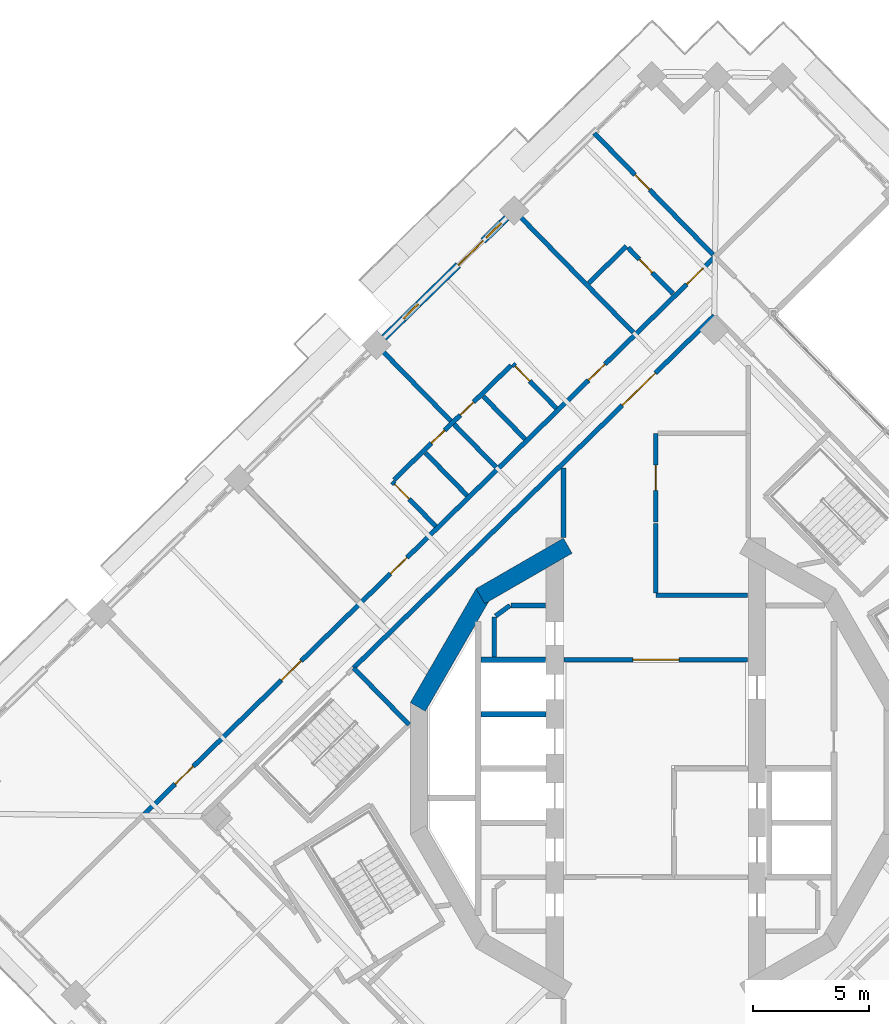
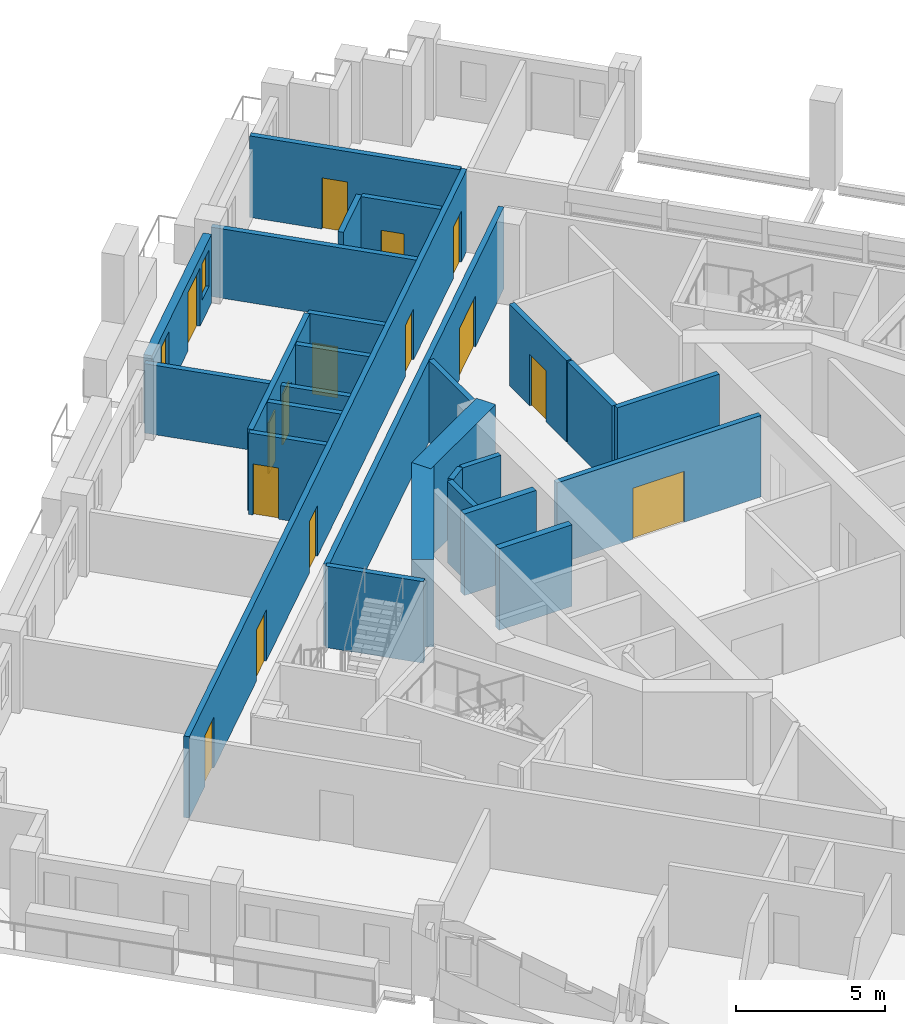
# One storey, part 11 of 20: 26 walls, 15 doors, 2 windows, 17 openings.
"""IFC4 building model written with IfcOpenShell, lengths in metres."""

from ifc_helpers import new_model, si_unit, direction, frame, frame_2d, origin, place, context, subcontext, project, spatial, rectangle, extrude, material, layer, layer_set, type_object, element, fill, save


model = new_model("IFC4")

# Units and contexts
model_context = context("Model", 3, precision=1e-05, world=origin(), true_north=direction((0.0, 1.0)))
body_context = subcontext(model_context, "Body", "Model", "MODEL_VIEW")
ifc_project = project(units=[si_unit("LENGTHUNIT", "METRE"), si_unit("AREAUNIT", "SQUARE_METRE"), si_unit("VOLUMEUNIT", "CUBIC_METRE"), si_unit("PLANEANGLEUNIT", "RADIAN"), si_unit("MASSUNIT", "GRAM", prefix="KILO")], contexts=[model_context])

# Site, building, storey
site_placement = place(None, origin())
site = spatial("IfcSite", under=ifc_project, at=site_placement, CompositionType="ELEMENT")
building_placement = place(site_placement, origin())
building = spatial("IfcBuilding", under=site, at=building_placement, Name="Cantera Rosa Tower", CompositionType="ELEMENT")
storey_placement = place(building_placement, frame((0.0, 0.0, 212.60009765625)))
storey = spatial("IfcBuildingStorey", under=building, at=storey_placement, Name="L45", CompositionType="ELEMENT", Elevation=212.60009765625)

# Wall
ifc_material_1 = material(Name="Gypsum board partition")
ifc_layer_1 = layer(ifc_material_1, 0.199951171875)
ifc_layer_set_1 = layer_set([ifc_layer_1], Name="CORRIDOR WALL 200 H3350")
wall_type_1 = type_object("IfcWallType", Name="CORRIDOR WALL 200 H3350", PredefinedType="PARTITIONING", material=ifc_layer_set_1)
wall_1_placement = place(storey_placement, frame((-4.0, 9.994140625, 0.0), z_axis=(0.0, 0.0, 1.0), x_axis=(0.0, 1.0, 0.0)))
element("IfcWall", 1, at=wall_1_placement, inside=storey, type_object=wall_type_1, Name="CORRIDOR WALL L45-058", PredefinedType="PARTITIONING", context=body_context, shape_type="SweptSolid", body=[
    extrude(rectangle(XDim=3.00390625, YDim=0.199951171875, at=frame_2d((1.501953125, 0.0))), origin(), (0.0, 0.0, 1.0), 3.349853515625),
])

# Wall, opening, door
wall_2_placement = place(storey_placement, frame((-3.969970703125, 4.699951171875, 0.0), z_axis=(0.0, 0.0, 1.0), x_axis=(1.0, 0.0, 0.0)))
wall_2 = element("IfcWall", 2, at=wall_2_placement, inside=storey, type_object=wall_type_1, Name="CORRIDOR WALL L45-059", PredefinedType="PARTITIONING", context=body_context, shape_type="SweptSolid", body=[
    extrude(rectangle(XDim=7.93994140625, YDim=0.199951171875, at=frame_2d((3.969970703125, 0.0))), origin(), (0.0, 0.0, 1.0), 3.349853515625),
])
opening_1_placement = place(wall_2_placement, frame((2.969970703125, 0.0, 0.0)))
opening_1 = element("IfcOpeningElement", 3, at=opening_1_placement, cuts=wall_2, Name="Opening L45-013", PredefinedType="OPENING", context=body_context, shape_type="SweptSolid", body=[
    extrude(rectangle(XDim=2.0, YDim=2.10009765625, at=frame_2d((1.0, 1.050048828125))), frame((0.0, 0.10986328125, 0.0), z_axis=(0.0, -1.0, 0.0), x_axis=(1.0, 0.0, 0.0)), (0.0, 0.0, 1.0), 0.219970703125),
])
ifc_material_2 = material(Name="Steel S355J2 (EN 10025-2)", Category="steel")
door_type_1 = type_object("IfcDoorType", Name="LOBBY SCREEN DOOR 2000x2100", OperationType="NOTDEFINED", PredefinedType="DOOR", material=ifc_material_2)
door_1_placement = place(opening_1_placement, origin())
door_1 = element("IfcDoor", 4, at=door_1_placement, inside=storey, type_object=door_type_1, Name="DOOR L45-013", OperationType="NOTDEFINED", OverallHeight=2.10009765625, OverallWidth=2.0, PredefinedType="DOOR", context=body_context, shape_type="SweptSolid", body=[
    extrude(rectangle(XDim=2.0, YDim=2.10009765625, at=frame_2d((1.0, 1.050048828125))), frame((0.0, 0.02490234375, 0.0), z_axis=(0.0, -1.0, 0.0), x_axis=(1.0, 0.0, 0.0)), (0.0, 0.0, 1.0), 0.050048828125),
])
fill(opening_1, door_1)

# Walls
wall_3_placement = place(storey_placement, frame((0.0, 7.5, 0.0), z_axis=(0.0, 0.0, 1.0), x_axis=(1.0, 0.0, 0.0)))
element("IfcWall", 5, at=wall_3_placement, inside=storey, type_object=wall_type_1, Name="CORRIDOR WALL L45-065", PredefinedType="PARTITIONING", context=body_context, shape_type="SweptSolid", body=[
    extrude(rectangle(XDim=3.969970703125, YDim=0.199951171875, at=frame_2d((1.98486328125, 0.0))), origin(), (0.0, 0.0, 1.0), 3.349853515625),
])
wall_4_placement = place(storey_placement, frame((0.0, 10.59521484375, 0.0), z_axis=(0.0, 0.0, 1.0), x_axis=(0.0, -1.0, 0.0)))
element("IfcWall", 6, at=wall_4_placement, inside=storey, type_object=wall_type_1, Name="CORRIDOR WALL L45-066", PredefinedType="PARTITIONING", context=body_context, shape_type="SweptSolid", body=[
    extrude(rectangle(XDim=3.01513671875, YDim=0.199951171875, at=frame_2d((1.507568359375, 0.0))), origin(), (0.0, 0.0, 1.0), 3.349853515625),
])

# Wall, opening, door
wall_5_placement = place(storey_placement, frame((0.0, 14.5, 0.0), z_axis=(0.0, 0.0, 1.0), x_axis=(0.0, -1.0, 0.0)))
wall_5 = element("IfcWall", 7, at=wall_5_placement, inside=storey, type_object=wall_type_1, Name="CORRIDOR WALL L45-067", PredefinedType="PARTITIONING", context=body_context, shape_type="SweptSolid", body=[
    extrude(rectangle(XDim=3.8447265625, YDim=0.199951171875, at=frame_2d((1.92236328125, 0.0))), origin(), (0.0, 0.0, 1.0), 3.349853515625),
])
opening_2_placement = place(wall_5_placement, frame((1.372314453125, 0.0, 0.0)))
opening_2 = element("IfcOpeningElement", 8, at=opening_2_placement, cuts=wall_5, Name="Opening L45-017", PredefinedType="OPENING", context=body_context, shape_type="SweptSolid", body=[
    extrude(rectangle(XDim=1.10009765625, YDim=2.10009765625, at=frame_2d((0.550048828125, 1.050048828125))), frame((0.0, 0.10986328125, 0.0), z_axis=(0.0, -1.0, 0.0), x_axis=(1.0, 0.0, 0.0)), (0.0, 0.0, 1.0), 0.219970703125),
])
ifc_material_3 = material(Name="Timber door leaf", Category="wood")
door_type_2 = type_object("IfcDoorType", Name="ROOM DOOR 1100x2100", OperationType="NOTDEFINED", PredefinedType="DOOR", material=ifc_material_3)
door_2_placement = place(opening_2_placement, origin())
door_2 = element("IfcDoor", 9, at=door_2_placement, inside=storey, type_object=door_type_2, Name="DOOR L45-017", OperationType="NOTDEFINED", OverallHeight=2.10009765625, OverallWidth=1.10009765625, PredefinedType="DOOR", context=body_context, shape_type="SweptSolid", body=[
    extrude(rectangle(XDim=1.10009765625, YDim=2.10009765625, at=frame_2d((0.550048828125, 1.050048828125))), frame((0.0, 0.02490234375, 0.0), z_axis=(0.0, -1.0, 0.0), x_axis=(1.0, 0.0, 0.0)), (0.0, 0.0, 1.0), 0.050048828125),
])
fill(opening_2, door_2)

wall_6_placement = place(storey_placement, frame((2.5263671875, 19.593994140625, 0.0), z_axis=(0.0, 0.0, 1.0), x_axis=(-0.715295644999, -0.698821966059, 0.0)))
wall_6 = element("IfcWall", 10, at=wall_6_placement, inside=storey, type_object=wall_type_1, Name="CORRIDOR WALL L45-072", PredefinedType="PARTITIONING", context=body_context, shape_type="SweptSolid", body=[
    extrude(rectangle(XDim=21.815185546875, YDim=0.199951171875, at=frame_2d((10.90771484375, 0.0))), origin(), (0.0, 0.0, 1.0), 3.349853515625),
])
opening_3_placement = place(wall_6_placement, frame((3.56201171875, 0.0, 0.0)))
opening_3 = element("IfcOpeningElement", 11, at=opening_3_placement, cuts=wall_6, Name="Opening L45-012", PredefinedType="OPENING", context=body_context, shape_type="SweptSolid", body=[
    extrude(rectangle(XDim=2.0, YDim=2.10009765625, at=frame_2d((1.0, 1.050048828125))), frame((0.0, 0.10986328125, 0.0), z_axis=(0.0, -1.0, 0.0), x_axis=(1.0, 0.0, 0.0)), (0.0, 0.0, 1.0), 0.219970703125),
])
door_3_placement = place(opening_3_placement, origin())
door_3 = element("IfcDoor", 12, at=door_3_placement, inside=storey, type_object=door_type_1, Name="DOOR L45-012", OperationType="NOTDEFINED", OverallHeight=2.10009765625, OverallWidth=2.0, PredefinedType="DOOR", context=body_context, shape_type="SweptSolid", body=[
    extrude(rectangle(XDim=2.0, YDim=2.10009765625, at=frame_2d((1.0, 1.050048828125))), frame((0.0, 0.02490234375, 0.0), z_axis=(0.0, -1.0, 0.0), x_axis=(1.0, 0.0, 0.0)), (0.0, 0.0, 1.0), 0.050048828125),
])
fill(opening_3, door_3)

# Wall, openings, doors
wall_7_placement = place(storey_placement, frame((2.555908203125, 22.1396484375, 0.0), z_axis=(0.0, 0.0, 1.0), x_axis=(-0.715286274513, -0.698831557311, 0.0)))
wall_7 = element("IfcWall", 13, at=wall_7_placement, inside=storey, type_object=wall_type_1, Name="CORRIDOR WALL L45-073", PredefinedType="PARTITIONING", context=body_context, shape_type="SweptSolid", body=[
    extrude(rectangle(XDim=34.60009765625, YDim=0.199951171875, at=frame_2d((17.300048828125, 0.0))), origin(), (0.0, 0.0, 1.0), 3.349853515625),
])
opening_4_placement = place(wall_7_placement, frame((6.655029296875, 0.0, 0.0)))
opening_4 = element("IfcOpeningElement", 14, at=opening_4_placement, cuts=wall_7, Name="Opening L45-027", PredefinedType="OPENING", context=body_context, shape_type="SweptSolid", body=[
    extrude(rectangle(XDim=1.0, YDim=2.10009765625, at=frame_2d((0.5, 1.050048828125))), frame((0.0, 0.10986328125, 0.0), z_axis=(0.0, -1.0, 0.0), x_axis=(1.0, 0.0, 0.0)), (0.0, 0.0, 1.0), 0.219970703125),
])
opening_5_placement = place(wall_7_placement, frame((18.625, 0.0, 0.0)))
opening_5 = element("IfcOpeningElement", 15, at=opening_5_placement, cuts=wall_7, Name="Opening L45-030", PredefinedType="OPENING", context=body_context, shape_type="SweptSolid", body=[
    extrude(rectangle(XDim=1.0, YDim=2.10009765625, at=frame_2d((0.5, 1.050048828125))), frame((0.0, 0.10986328125, 0.0), z_axis=(0.0, -1.0, 0.0), x_axis=(1.0, 0.0, 0.0)), (0.0, 0.0, 1.0), 0.219970703125),
])
opening_6_placement = place(wall_7_placement, frame((25.02001953125, 0.0, 0.0)))
opening_6 = element("IfcOpeningElement", 16, at=opening_6_placement, cuts=wall_7, Name="Opening L45-033", PredefinedType="OPENING", context=body_context, shape_type="SweptSolid", body=[
    extrude(rectangle(XDim=1.199951171875, YDim=2.10009765625, at=frame_2d((0.60009765625, 1.050048828125))), frame((0.0, 0.10986328125, 0.0), z_axis=(0.0, -1.0, 0.0), x_axis=(1.0, 0.0, 0.0)), (0.0, 0.0, 1.0), 0.219970703125),
])
opening_7_placement = place(wall_7_placement, frame((0.7099609375, 0.0, 0.0)))
opening_7 = element("IfcOpeningElement", 17, at=opening_7_placement, cuts=wall_7, Name="Opening L45-034", PredefinedType="OPENING", context=body_context, shape_type="SweptSolid", body=[
    extrude(rectangle(XDim=1.0, YDim=2.10009765625, at=frame_2d((0.5, 1.050048828125))), frame((0.0, 0.10986328125, 0.0), z_axis=(0.0, -1.0, 0.0), x_axis=(1.0, 0.0, 0.0)), (0.0, 0.0, 1.0), 0.219970703125),
])
opening_8_placement = place(wall_7_placement, frame((31.550048828125, 0.0, 0.0)))
opening_8 = element("IfcOpeningElement", 18, at=opening_8_placement, cuts=wall_7, Name="Opening L45-037", PredefinedType="OPENING", context=body_context, shape_type="SweptSolid", body=[
    extrude(rectangle(XDim=1.10009765625, YDim=2.10009765625, at=frame_2d((0.550048828125, 1.050048828125))), frame((0.0, 0.10986328125, 0.0), z_axis=(0.0, -1.0, 0.0), x_axis=(1.0, 0.0, 0.0)), (0.0, 0.0, 1.0), 0.219970703125),
])
ifc_material_4 = material(Name="Timber door leaf", Category="wood")
door_type_3 = type_object("IfcDoorType", Name="ENTRANCE DOOR 1000x2100", OperationType="NOTDEFINED", PredefinedType="DOOR", material=ifc_material_4)
door_4_placement = place(opening_4_placement, origin())
door_4 = element("IfcDoor", 19, at=door_4_placement, inside=storey, type_object=door_type_3, Name="DOOR L45-027", OperationType="NOTDEFINED", OverallHeight=2.10009765625, OverallWidth=1.0, PredefinedType="DOOR", context=body_context, shape_type="SweptSolid", body=[
    extrude(rectangle(XDim=1.0, YDim=2.10009765625, at=frame_2d((0.5, 1.050048828125))), frame((0.0, 0.02490234375, 0.0), z_axis=(0.0, -1.0, 0.0), x_axis=(1.0, 0.0, 0.0)), (0.0, 0.0, 1.0), 0.050048828125),
])
fill(opening_4, door_4)
door_5_placement = place(opening_5_placement, origin())
door_5 = element("IfcDoor", 20, at=door_5_placement, inside=storey, type_object=door_type_3, Name="DOOR L45-030", OperationType="NOTDEFINED", OverallHeight=2.10009765625, OverallWidth=1.0, PredefinedType="DOOR", context=body_context, shape_type="SweptSolid", body=[
    extrude(rectangle(XDim=1.0, YDim=2.10009765625, at=frame_2d((0.5, 1.050048828125))), frame((0.0, 0.02490234375, 0.0), z_axis=(0.0, -1.0, 0.0), x_axis=(1.0, 0.0, 0.0)), (0.0, 0.0, 1.0), 0.050048828125),
])
fill(opening_5, door_5)
door_6_placement = place(opening_7_placement, origin())
door_6 = element("IfcDoor", 21, at=door_6_placement, inside=storey, type_object=door_type_3, Name="DOOR L45-034", OperationType="NOTDEFINED", OverallHeight=2.10009765625, OverallWidth=1.0, PredefinedType="DOOR", context=body_context, shape_type="SweptSolid", body=[
    extrude(rectangle(XDim=1.0, YDim=2.10009765625, at=frame_2d((0.5, 1.050048828125))), frame((0.0, 0.02490234375, 0.0), z_axis=(0.0, -1.0, 0.0), x_axis=(1.0, 0.0, 0.0)), (0.0, 0.0, 1.0), 0.050048828125),
])
fill(opening_7, door_6)
door_7_placement = place(opening_8_placement, origin())
door_7 = element("IfcDoor", 22, at=door_7_placement, inside=storey, type_object=door_type_2, Name="DOOR L45-037", OperationType="NOTDEFINED", OverallHeight=2.10009765625, OverallWidth=1.10009765625, PredefinedType="DOOR", context=body_context, shape_type="SweptSolid", body=[
    extrude(rectangle(XDim=1.10009765625, YDim=2.10009765625, at=frame_2d((0.550048828125, 1.050048828125))), frame((0.0, 0.02490234375, 0.0), z_axis=(0.0, -1.0, 0.0), x_axis=(1.0, 0.0, 0.0)), (0.0, 0.0, 1.0), 0.050048828125),
])
fill(opening_8, door_7)
ifc_material_5 = material(Name="Timber door leaf", Category="wood")
door_type_4 = type_object("IfcDoorType", Name="ROOM DOOR 1200x2100", OperationType="NOTDEFINED", PredefinedType="DOOR", material=ifc_material_5)
door_8_placement = place(opening_6_placement, origin())
door_8 = element("IfcDoor", 23, at=door_8_placement, inside=storey, type_object=door_type_4, Name="DOOR L45-033", OperationType="NOTDEFINED", OverallHeight=2.10009765625, OverallWidth=1.199951171875, PredefinedType="DOOR", context=body_context, shape_type="SweptSolid", body=[
    extrude(rectangle(XDim=1.199951171875, YDim=2.10009765625, at=frame_2d((0.60009765625, 1.050048828125))), frame((0.0, 0.02490234375, 0.0), z_axis=(0.0, -1.0, 0.0), x_axis=(1.0, 0.0, 0.0)), (0.0, 0.0, 1.0), 0.050048828125),
])
fill(opening_6, door_8)

# Wall, openings, windows, door
ifc_material_6 = material(Name="Hollow clay masonry with cantera stone cladding", Category="masonry")
ifc_layer_2 = layer(ifc_material_6, 0.300048828125)
ifc_layer_set_2 = layer_set([ifc_layer_2], Name="EW-LOGGIA 300 H2820")
wall_type_2 = type_object("IfcWallType", Name="EW-LOGGIA 300 H2820", PredefinedType="SOLIDWALL", material=ifc_layer_set_2)
wall_8_placement = place(storey_placement, frame((-6.454833984375, 23.8212890625, 0.0), z_axis=(0.0, 0.0, 1.0), x_axis=(-0.715300826176, -0.698816662703, 0.0)))
wall_8 = element("IfcWall", 24, at=wall_8_placement, inside=storey, type_object=wall_type_2, Name="EN-L45-W08", PredefinedType="SOLIDWALL", context=body_context, shape_type="SweptSolid", body=[
    extrude(rectangle(XDim=7.420166015625, YDim=0.300048828125, at=frame_2d((3.7099609375, 0.0))), origin(), (0.0, 0.0, 1.0), 2.81982421875),
])
opening_9_placement = place(wall_8_placement, frame((0.330078125, 0.0, 0.89990234375)))
opening_9 = element("IfcOpeningElement", 25, at=opening_9_placement, cuts=wall_8, Name="Opening L45-W10", PredefinedType="OPENING", context=body_context, shape_type="SweptSolid", body=[
    extrude(rectangle(XDim=0.89990234375, YDim=1.5, at=frame_2d((0.449951171875, 0.75))), frame((0.0, 0.159912109375, 0.0), z_axis=(0.0, -1.0, 0.0), x_axis=(1.0, 0.0, 0.0)), (0.0, 0.0, 1.0), 0.320068359375),
])
opening_10_placement = place(wall_8_placement, frame((1.429931640625, 0.0, 0.0)))
opening_10 = element("IfcOpeningElement", 26, at=opening_10_placement, cuts=wall_8, Name="Opening L45-TD11", PredefinedType="OPENING", context=body_context, shape_type="SweptSolid", body=[
    extrude(rectangle(XDim=1.5, YDim=2.39990234375, at=frame_2d((0.75, 1.199951171875))), frame((0.0, 0.159912109375, 0.0), z_axis=(0.0, -1.0, 0.0), x_axis=(1.0, 0.0, 0.0)), (0.0, 0.0, 1.0), 0.320068359375),
])
opening_11_placement = place(wall_8_placement, frame((5.340087890625, 0.0, 0.89990234375)))
opening_11 = element("IfcOpeningElement", 27, at=opening_11_placement, cuts=wall_8, Name="Opening L45-W12", PredefinedType="OPENING", context=body_context, shape_type="SweptSolid", body=[
    extrude(rectangle(XDim=0.89990234375, YDim=1.5, at=frame_2d((0.449951171875, 0.75))), frame((0.0, 0.159912109375, 0.0), z_axis=(0.0, -1.0, 0.0), x_axis=(1.0, 0.0, 0.0)), (0.0, 0.0, 1.0), 0.320068359375),
])
ifc_material_7 = material(Name="Aluminium frame with clear glass", Category="aluminium")
window_type = type_object("IfcWindowType", Name="Residential window 900x1500", PartitioningType="SINGLE_PANEL", PredefinedType="WINDOW", material=ifc_material_7)
window_1_placement = place(opening_9_placement, origin())
window_1 = element("IfcWindow", 28, at=window_1_placement, inside=storey, type_object=window_type, Name="WINDOW L45-W10", OverallHeight=1.5, OverallWidth=0.89990234375, PartitioningType="SINGLE_PANEL", PredefinedType="WINDOW", context=body_context, shape_type="SweptSolid", body=[
    extrude(rectangle(XDim=0.89990234375, YDim=1.5, at=frame_2d((0.449951171875, 0.75))), frame((0.0, 0.030029296875, 0.0), z_axis=(0.0, -1.0, 0.0), x_axis=(1.0, 0.0, 0.0)), (0.0, 0.0, 1.0), 0.06005859375),
])
fill(opening_9, window_1)
window_2_placement = place(opening_11_placement, origin())
window_2 = element("IfcWindow", 29, at=window_2_placement, inside=storey, type_object=window_type, Name="WINDOW L45-W12", OverallHeight=1.5, OverallWidth=0.89990234375, PartitioningType="SINGLE_PANEL", PredefinedType="WINDOW", context=body_context, shape_type="SweptSolid", body=[
    extrude(rectangle(XDim=0.89990234375, YDim=1.5, at=frame_2d((0.449951171875, 0.75))), frame((0.0, 0.030029296875, 0.0), z_axis=(0.0, -1.0, 0.0), x_axis=(1.0, 0.0, 0.0)), (0.0, 0.0, 1.0), 0.06005859375),
])
fill(opening_11, window_2)
ifc_material_8 = material(Name="Aluminium frame with clear glass", Category="aluminium")
door_type_5 = type_object("IfcDoorType", Name="TD-R 1500x2400", OperationType="NOTDEFINED", PredefinedType="DOOR", material=ifc_material_8)
door_9_placement = place(opening_10_placement, origin())
door_9 = element("IfcDoor", 30, at=door_9_placement, inside=storey, type_object=door_type_5, Name="LOGGIA DOOR L45-TD11", OperationType="SLIDING_TO_LEFT", OverallHeight=2.39990234375, OverallWidth=1.5, PredefinedType="DOOR", context=body_context, shape_type="SweptSolid", body=[
    extrude(rectangle(XDim=1.5, YDim=2.39990234375, at=frame_2d((0.75, 1.199951171875))), frame((0.0, 0.02490234375, 0.0), z_axis=(0.0, -1.0, 0.0), x_axis=(1.0, 0.0, 0.0)), (0.0, 0.0, 1.0), 0.050048828125),
])
fill(opening_10, door_9)

# Wall, openings, doors
ifc_material_9 = material(Name="Gypsum board partition")
ifc_layer_3 = layer(ifc_material_9, 0.199951171875)
ifc_layer_set_3 = layer_set([ifc_layer_3], Name="PARTITION 200 H3350")
wall_type_3 = type_object("IfcWallType", Name="PARTITION 200 H3350", PredefinedType="PARTITIONING", material=ifc_layer_set_3)
wall_9_placement = place(storey_placement, frame((-11.32470703125, 12.492919921875, 0.0), z_axis=(0.0, 0.0, 1.0), x_axis=(0.71528317441, 0.698834730395, 0.0)))
wall_9 = element("IfcWall", 31, at=wall_9_placement, inside=storey, type_object=wall_type_3, Name="PARTITION L45-026", PredefinedType="PARTITIONING", context=body_context, shape_type="SweptSolid", body=[
    extrude(rectangle(XDim=7.080078125, YDim=0.199951171875, at=frame_2d((3.5400390625, 0.0))), origin(), (0.0, 0.0, 1.0), 3.349853515625),
])
opening_12_placement = place(wall_9_placement, frame((4.0048828125, 0.0, 0.0)))
opening_12 = element("IfcOpeningElement", 32, at=opening_12_placement, cuts=wall_9, Name="Opening L45-028", PredefinedType="OPENING", context=body_context, shape_type="SweptSolid", body=[
    extrude(rectangle(XDim=0.800048828125, YDim=2.10009765625, at=frame_2d((0.39990234375, 1.050048828125))), frame((0.0, 0.10986328125, 0.0), z_axis=(0.0, -1.0, 0.0), x_axis=(1.0, 0.0, 0.0)), (0.0, 0.0, 1.0), 0.219970703125),
])
opening_13_placement = place(wall_9_placement, frame((2.2548828125, 0.0, 0.0)))
opening_13 = element("IfcOpeningElement", 33, at=opening_13_placement, cuts=wall_9, Name="Opening L45-031", PredefinedType="OPENING", context=body_context, shape_type="SweptSolid", body=[
    extrude(rectangle(XDim=0.800048828125, YDim=2.10009765625, at=frame_2d((0.39990234375, 1.050048828125))), frame((0.0, 0.10986328125, 0.0), z_axis=(0.0, -1.0, 0.0), x_axis=(1.0, 0.0, 0.0)), (0.0, 0.0, 1.0), 0.219970703125),
])
ifc_material_10 = material(Name="Timber door leaf", Category="wood")
door_type_6 = type_object("IfcDoorType", Name="BATHROOM DOOR 800x2100", OperationType="NOTDEFINED", PredefinedType="DOOR", material=ifc_material_10)
door_10_placement = place(opening_12_placement, origin())
door_10 = element("IfcDoor", 34, at=door_10_placement, inside=storey, type_object=door_type_6, Name="DOOR L45-028", OperationType="NOTDEFINED", OverallHeight=2.10009765625, OverallWidth=0.800048828125, PredefinedType="DOOR", context=body_context, shape_type="SweptSolid", body=[
    extrude(rectangle(XDim=0.800048828125, YDim=2.10009765625, at=frame_2d((0.39990234375, 1.050048828125))), frame((0.0, 0.02490234375, 0.0), z_axis=(0.0, -1.0, 0.0), x_axis=(1.0, 0.0, 0.0)), (0.0, 0.0, 1.0), 0.050048828125),
])
fill(opening_12, door_10)
door_11_placement = place(opening_13_placement, origin())
door_11 = element("IfcDoor", 35, at=door_11_placement, inside=storey, type_object=door_type_6, Name="DOOR L45-031", OperationType="NOTDEFINED", OverallHeight=2.10009765625, OverallWidth=0.800048828125, PredefinedType="DOOR", context=body_context, shape_type="SweptSolid", body=[
    extrude(rectangle(XDim=0.800048828125, YDim=2.10009765625, at=frame_2d((0.39990234375, 1.050048828125))), frame((0.0, 0.02490234375, 0.0), z_axis=(0.0, -1.0, 0.0), x_axis=(1.0, 0.0, 0.0)), (0.0, 0.0, 1.0), 0.050048828125),
])
fill(opening_13, door_11)

# Wall, opening, door
wall_10_placement = place(storey_placement, frame((-9.523681640625, 10.477783203125, 0.0), z_axis=(0.0, 0.0, 1.0), x_axis=(-0.69882992157, 0.715287872621, 0.0)))
wall_10 = element("IfcWall", 36, at=wall_10_placement, inside=storey, type_object=wall_type_3, Name="PARTITION L45-029", PredefinedType="PARTITIONING", context=body_context, shape_type="SweptSolid", body=[
    extrude(rectangle(XDim=2.69970703125, YDim=0.199951171875, at=frame_2d((1.349853515625, 0.0))), origin(), (0.0, 0.0, 1.0), 3.349853515625),
])
opening_14_placement = place(wall_10_placement, frame((1.64990234375, 0.0, 0.0)))
opening_14 = element("IfcOpeningElement", 37, at=opening_14_placement, cuts=wall_10, Name="Opening L45-032", PredefinedType="OPENING", context=body_context, shape_type="SweptSolid", body=[
    extrude(rectangle(XDim=0.89990234375, YDim=2.10009765625, at=frame_2d((0.449951171875, 1.050048828125))), frame((0.0, 0.10986328125, 0.0), z_axis=(0.0, -1.0, 0.0), x_axis=(1.0, 0.0, 0.0)), (0.0, 0.0, 1.0), 0.219970703125),
])
ifc_material_11 = material(Name="Timber door leaf", Category="wood")
door_type_7 = type_object("IfcDoorType", Name="ROOM DOOR 900x2100", OperationType="NOTDEFINED", PredefinedType="DOOR", material=ifc_material_11)
door_12_placement = place(opening_14_placement, origin())
door_12 = element("IfcDoor", 38, at=door_12_placement, inside=storey, type_object=door_type_7, Name="DOOR L45-032", OperationType="NOTDEFINED", OverallHeight=2.10009765625, OverallWidth=0.89990234375, PredefinedType="DOOR", context=body_context, shape_type="SweptSolid", body=[
    extrude(rectangle(XDim=0.89990234375, YDim=2.10009765625, at=frame_2d((0.449951171875, 1.050048828125))), frame((0.0, 0.02490234375, 0.0), z_axis=(0.0, -1.0, 0.0), x_axis=(1.0, 0.0, 0.0)), (0.0, 0.0, 1.0), 0.050048828125),
])
fill(opening_14, door_12)

# Walls
wall_11_placement = place(storey_placement, frame((-8.16455078125, 11.805419921875, 0.0), z_axis=(0.0, 0.0, 1.0), x_axis=(-0.698826236875, 0.715291472517, 0.0)))
element("IfcWall", 39, at=wall_11_placement, inside=storey, type_object=wall_type_3, Name="PARTITION L45-034", PredefinedType="PARTITIONING", context=body_context, shape_type="SweptSolid", body=[
    extrude(rectangle(XDim=2.580078125, YDim=0.199951171875, at=frame_2d((1.2900390625, 0.0))), origin(), (0.0, 0.0, 1.0), 3.349853515625),
])
wall_12_placement = place(storey_placement, frame((-7.464111328125, 16.0966796875, 0.0), z_axis=(0.0, 0.0, 1.0), x_axis=(0.698873539617, -0.715245255575, 0.0)))
element("IfcWall", 40, at=wall_12_placement, inside=storey, type_object=wall_type_3, Name="PARTITION L45-041", PredefinedType="PARTITIONING", context=body_context, shape_type="SweptSolid", body=[
    extrude(rectangle(XDim=2.579833984375, YDim=0.199951171875, at=frame_2d((1.2900390625, 0.0))), origin(), (0.0, 0.0, 1.0), 3.349853515625),
])
wall_13_placement = place(storey_placement, frame((-7.0, 4.824951171875, 0.0), z_axis=(0.0, 0.0, 1.0), x_axis=(0.0, 1.0, 0.0)))
element("IfcWall", 41, at=wall_13_placement, inside=storey, type_object=wall_type_3, Name="PARTITION L45-045", PredefinedType="PARTITIONING", context=body_context, shape_type="SweptSolid", body=[
    extrude(rectangle(XDim=1.72509765625, YDim=0.199951171875, at=frame_2d((0.862548828125, 0.0))), origin(), (0.0, 0.0, 1.0), 3.349853515625),
])
wall_14_placement = place(storey_placement, frame((-6.935302734375, 6.59716796875, 0.0), z_axis=(0.0, 0.0, 1.0), x_axis=(0.808227862651, 0.588869868506, 0.0)))
element("IfcWall", 42, at=wall_14_placement, inside=storey, type_object=wall_type_3, Name="PARTITION L45-046", PredefinedType="PARTITIONING", context=body_context, shape_type="SweptSolid", body=[
    extrude(rectangle(XDim=0.76904296875, YDim=0.199951171875, at=frame_2d((0.384521484375, 0.0))), origin(), (0.0, 0.0, 1.0), 3.349853515625),
])
wall_15_placement = place(storey_placement, frame((-6.273681640625, 7.050048828125, 0.0), z_axis=(0.0, 0.0, 1.0), x_axis=(1.0, 0.0, 0.0)))
element("IfcWall", 43, at=wall_15_placement, inside=storey, type_object=wall_type_3, Name="PARTITION L45-048", PredefinedType="PARTITIONING", context=body_context, shape_type="SweptSolid", body=[
    extrude(rectangle(XDim=1.49365234375, YDim=0.199951171875, at=frame_2d((0.746826171875, 0.0))), origin(), (0.0, 0.0, 1.0), 3.349853515625),
])

# Wall, opening, door
wall_16_placement = place(storey_placement, frame((-6.18896484375, 17.510498046875, 0.0), z_axis=(0.0, 0.0, 1.0), x_axis=(0.69883098597, -0.71528683271, 0.0)))
wall_16 = element("IfcWall", 44, at=wall_16_placement, inside=storey, type_object=wall_type_3, Name="PARTITION L45-049", PredefinedType="PARTITIONING", context=body_context, shape_type="SweptSolid", body=[
    extrude(rectangle(XDim=2.7001953125, YDim=0.199951171875, at=frame_2d((1.35009765625, 0.0))), origin(), (0.0, 0.0, 1.0), 3.349853515625),
])
opening_15_placement = place(wall_16_placement, frame((0.14990234375, 0.0, 0.0)))
opening_15 = element("IfcOpeningElement", 45, at=opening_15_placement, cuts=wall_16, Name="Opening L45-029", PredefinedType="OPENING", context=body_context, shape_type="SweptSolid", body=[
    extrude(rectangle(XDim=0.89990234375, YDim=2.10009765625, at=frame_2d((0.449951171875, 1.050048828125))), frame((0.0, 0.10986328125, 0.0), z_axis=(0.0, -1.0, 0.0), x_axis=(1.0, 0.0, 0.0)), (0.0, 0.0, 1.0), 0.219970703125),
])
door_13_placement = place(opening_15_placement, origin())
door_13 = element("IfcDoor", 46, at=door_13_placement, inside=storey, type_object=door_type_7, Name="DOOR L45-029", OperationType="NOTDEFINED", OverallHeight=2.10009765625, OverallWidth=0.89990234375, PredefinedType="DOOR", context=body_context, shape_type="SweptSolid", body=[
    extrude(rectangle(XDim=0.89990234375, YDim=2.10009765625, at=frame_2d((0.449951171875, 1.050048828125))), frame((0.0, 0.02490234375, 0.0), z_axis=(0.0, -1.0, 0.0), x_axis=(1.0, 0.0, 0.0)), (0.0, 0.0, 1.0), 0.050048828125),
])
fill(opening_15, door_13)

# Wall
wall_17_placement = place(storey_placement, frame((-2.902587890625, 21.0009765625, 0.0), z_axis=(0.0, 0.0, 1.0), x_axis=(0.715356263827, 0.698759912848, 0.0)))
element("IfcWall", 47, at=wall_17_placement, inside=storey, type_object=wall_type_3, Name="PARTITION L45-060", PredefinedType="PARTITIONING", context=body_context, shape_type="SweptSolid", body=[
    extrude(rectangle(XDim=2.280029296875, YDim=0.199951171875, at=frame_2d((1.14013671875, 0.0))), origin(), (0.0, 0.0, 1.0), 3.349853515625),
])

# Wall, opening, door
wall_18_placement = place(storey_placement, frame((-1.20166015625, 22.522705078125, 0.0), z_axis=(0.0, 0.0, 1.0), x_axis=(0.698803279279, -0.715313900934, 0.0)))
wall_18 = element("IfcWall", 48, at=wall_18_placement, inside=storey, type_object=wall_type_3, Name="PARTITION L45-064", PredefinedType="PARTITIONING", context=body_context, shape_type="SweptSolid", body=[
    extrude(rectangle(XDim=2.780029296875, YDim=0.199951171875, at=frame_2d((1.39013671875, 0.0))), origin(), (0.0, 0.0, 1.0), 3.349853515625),
])
opening_16_placement = place(wall_18_placement, frame((0.699951171875, 0.0, 0.0)))
opening_16 = element("IfcOpeningElement", 49, at=opening_16_placement, cuts=wall_18, Name="Opening L45-035", PredefinedType="OPENING", context=body_context, shape_type="SweptSolid", body=[
    extrude(rectangle(XDim=0.800048828125, YDim=2.10009765625, at=frame_2d((0.39990234375, 1.050048828125))), frame((0.0, 0.10986328125, 0.0), z_axis=(0.0, -1.0, 0.0), x_axis=(1.0, 0.0, 0.0)), (0.0, 0.0, 1.0), 0.219970703125),
])
door_14_placement = place(opening_16_placement, origin())
door_14 = element("IfcDoor", 50, at=door_14_placement, inside=storey, type_object=door_type_6, Name="DOOR L45-035", OperationType="NOTDEFINED", OverallHeight=2.10009765625, OverallWidth=0.800048828125, PredefinedType="DOOR", context=body_context, shape_type="SweptSolid", body=[
    extrude(rectangle(XDim=0.800048828125, YDim=2.10009765625, at=frame_2d((0.39990234375, 1.050048828125))), frame((0.0, 0.02490234375, 0.0), z_axis=(0.0, -1.0, 0.0), x_axis=(1.0, 0.0, 0.0)), (0.0, 0.0, 1.0), 0.050048828125),
])
fill(opening_16, door_14)

wall_19_placement = place(storey_placement, frame((2.471923828125, 22.225341796875, 0.0), z_axis=(0.0, 0.0, 1.0), x_axis=(-0.698820957739, 0.715296630095, 0.0)))
wall_19 = element("IfcWall", 51, at=wall_19_placement, inside=storey, type_object=wall_type_3, Name="PARTITION L45-074", PredefinedType="PARTITIONING", context=body_context, shape_type="SweptSolid", body=[
    extrude(rectangle(XDim=7.349853515625, YDim=0.199951171875, at=frame_2d((3.6748046875, 0.0))), origin(), (0.0, 0.0, 1.0), 3.349853515625),
])
opening_17_placement = place(wall_19_placement, frame((3.929931640625, 0.0, 0.0)))
opening_17 = element("IfcOpeningElement", 52, at=opening_17_placement, cuts=wall_19, Name="Opening L45-036", PredefinedType="OPENING", context=body_context, shape_type="SweptSolid", body=[
    extrude(rectangle(XDim=0.89990234375, YDim=2.10009765625, at=frame_2d((0.449951171875, 1.050048828125))), frame((0.0, 0.10986328125, 0.0), z_axis=(0.0, -1.0, 0.0), x_axis=(1.0, 0.0, 0.0)), (0.0, 0.0, 1.0), 0.219970703125),
])
door_15_placement = place(opening_17_placement, origin())
door_15 = element("IfcDoor", 53, at=door_15_placement, inside=storey, type_object=door_type_7, Name="DOOR L45-036", OperationType="NOTDEFINED", OverallHeight=2.10009765625, OverallWidth=0.89990234375, PredefinedType="DOOR", context=body_context, shape_type="SweptSolid", body=[
    extrude(rectangle(XDim=0.89990234375, YDim=2.10009765625, at=frame_2d((0.449951171875, 1.050048828125))), frame((0.0, 0.02490234375, 0.0), z_axis=(0.0, -1.0, 0.0), x_axis=(1.0, 0.0, 0.0)), (0.0, 0.0, 1.0), 0.050048828125),
])
fill(opening_17, door_15)

# Walls
ifc_material_12 = material(Name="Gypsum board partition")
ifc_layer_4 = layer(ifc_material_12, 0.199951171875)
ifc_layer_set_4 = layer_set([ifc_layer_4], Name="PARTY WALL 200 H2850")
wall_type_4 = type_object("IfcWallType", Name="PARTY WALL 200 H2850", PredefinedType="PARTITIONING", material=ifc_layer_set_4)
wall_20_placement = place(storey_placement, frame((-6.912841796875, 13.0283203125, 0.0), z_axis=(0.0, 0.0, 1.0), x_axis=(-0.698827041819, 0.715290686101, 0.0)))
element("IfcWall", 54, at=wall_20_placement, inside=storey, type_object=wall_type_4, Name="PARTY WALL L45-047", PredefinedType="PARTITIONING", context=body_context, shape_type="SweptSolid", body=[
    extrude(rectangle(XDim=7.3701171875, YDim=0.199951171875, at=frame_2d((3.68505859375, 0.0))), origin(), (0.0, 0.0, 1.0), 2.849853515625),
])
wall_21_placement = place(storey_placement, frame((-6.112060546875, 24.114501953125, 0.0), z_axis=(0.0, 0.0, 1.0), x_axis=(0.698821349183, -0.715296247667, 0.0)))
element("IfcWall", 55, at=wall_21_placement, inside=storey, type_object=wall_type_4, Name="PARTY WALL L45-050", PredefinedType="PARTITIONING", context=body_context, shape_type="SweptSolid", body=[
    extrude(rectangle(XDim=7.35009765625, YDim=0.199951171875, at=frame_2d((3.675048828125, 0.0))), origin(), (0.0, 0.0, 1.0), 2.849853515625),
])
ifc_material_13 = material(Name="Concrete C60/75", Category="concrete")
ifc_layer_5 = layer(ifc_material_13, 0.75)
ifc_layer_set_5 = layer_set([ifc_layer_5], Name="RC CORE WALL 750 C60/75")
wall_type_5 = type_object("IfcWallType", Name="RC CORE WALL 750 C60/75", PredefinedType="SHEAR", material=ifc_layer_set_5)
wall_22_placement = place(storey_placement, frame((-10.300537109375, 2.659423828125, 0.0), z_axis=(0.0, 0.0, 1.0), x_axis=(0.500021842983, 0.866012792365, 0.0)))
element("IfcWall", 56, at=wall_22_placement, inside=storey, type_object=wall_type_5, Name="CW-W4 L45", PredefinedType="SHEAR", context=body_context, shape_type="SweptSolid", body=[
    extrude(rectangle(XDim=5.694091796875, YDim=0.75, at=frame_2d((2.84716796875, 0.0))), origin(), (0.0, 0.0, 1.0), 3.599853515625),
])
wall_23_placement = place(storey_placement, frame((-7.590576171875, 7.453369140625, 0.0), z_axis=(0.0, 0.0, 1.0), x_axis=(0.866013176292, 0.50002117804, 0.0)))
element("IfcWall", 57, at=wall_23_placement, inside=storey, type_object=wall_type_5, Name="CW-W5 L45", PredefinedType="SHEAR", context=body_context, shape_type="SweptSolid", body=[
    extrude(rectangle(XDim=4.362548828125, YDim=0.75, at=frame_2d((2.18115234375, 0.0))), origin(), (0.0, 0.0, 1.0), 3.599853515625),
])
ifc_material_14 = material(Name="Masonry blockwork", Category="masonry")
ifc_layer_6 = layer(ifc_material_14, 0.25)
ifc_layer_set_6 = layer_set([ifc_layer_6], Name="SHAFT WALL 250 H3350")
wall_type_6 = type_object("IfcWallType", Name="SHAFT WALL 250 H3350", PredefinedType="SOLIDWALL", material=ifc_layer_set_6)
wall_24_placement = place(storey_placement, frame((-7.574951171875, 2.35009765625, 0.0), z_axis=(0.0, 0.0, 1.0), x_axis=(1.0, 0.0, 0.0)))
element("IfcWall", 58, at=wall_24_placement, inside=storey, type_object=wall_type_6, Name="SHAFT WALL L45-038", PredefinedType="SOLIDWALL", context=body_context, shape_type="SweptSolid", body=[
    extrude(rectangle(XDim=2.824951171875, YDim=0.25, at=frame_2d((1.41259765625, 0.0))), origin(), (0.0, 0.0, 1.0), 3.349853515625),
])
wall_25_placement = place(storey_placement, frame((-7.574951171875, 4.699951171875, 0.0), z_axis=(0.0, 0.0, 1.0), x_axis=(1.0, 0.0, 0.0)))
element("IfcWall", 59, at=wall_25_placement, inside=storey, type_object=wall_type_6, Name="SHAFT WALL L45-039", PredefinedType="SOLIDWALL", context=body_context, shape_type="SweptSolid", body=[
    extrude(rectangle(XDim=2.794921875, YDim=0.25, at=frame_2d((1.3974609375, 0.0))), origin(), (0.0, 0.0, 1.0), 3.349853515625),
])
ifc_material_15 = material(Name="Concrete C50/60", Category="concrete")
ifc_layer_7 = layer(ifc_material_15, 0.199951171875)
ifc_layer_set_7 = layer_set([ifc_layer_7], Name="STAIR WALL 200 H3350")
wall_type_7 = type_object("IfcWallType", Name="STAIR WALL 200 H3350", PredefinedType="SOLIDWALL", material=ifc_layer_set_7)
wall_26_placement = place(storey_placement, frame((-13.077880859375, 4.34912109375, 0.0), z_axis=(0.0, 0.0, 1.0), x_axis=(0.698828566482, -0.715289196527, 0.0)))
element("IfcWall", 60, at=wall_26_placement, inside=storey, type_object=wall_type_7, Name="STAIR WALL L45-018", PredefinedType="SOLIDWALL", context=body_context, shape_type="SweptSolid", body=[
    extrude(rectangle(XDim=3.426025390625, YDim=0.199951171875, at=frame_2d((1.712890625, 0.0))), origin(), (0.0, 0.0, 1.0), 3.349853515625),
])

save(model, "model.ifc")
